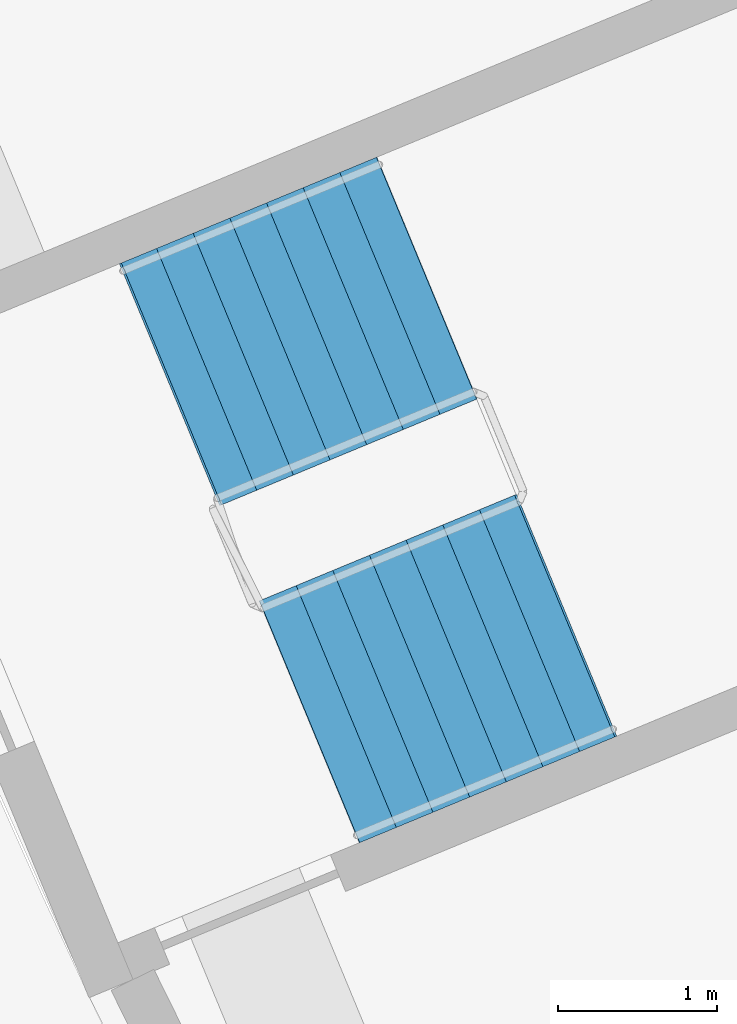
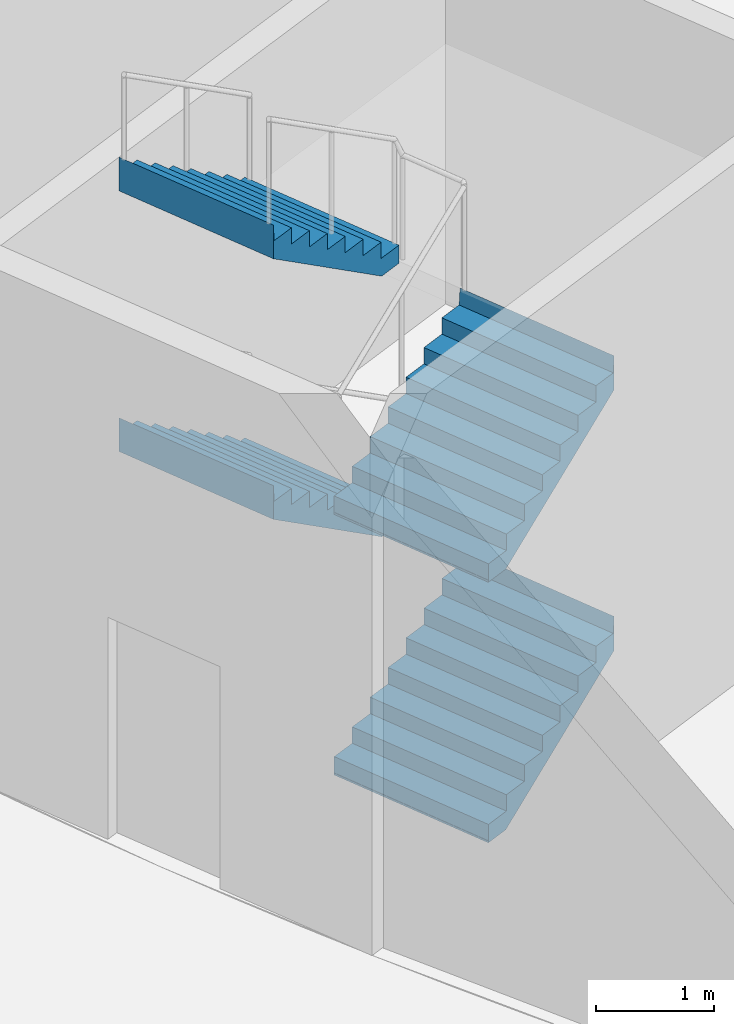
# One storey, part 31 of 41: 4 stair flights, 1 element without a shape of its own.
"""IFC4 building model written with IfcOpenShell, lengths in metres."""

from ifc_helpers import new_model, si_unit, direction, frame, origin, place, context, subcontext, project, spatial, triangles, material, type_object, element, aggregate, save


model = new_model("IFC4")

# Units and contexts
model_context = context("Model", 3, precision=1e-05, world=origin(), true_north=direction((0.0, 1.0)))
body_context = subcontext(model_context, "Body", "Model", "MODEL_VIEW")
ifc_project = project(units=[si_unit("LENGTHUNIT", "METRE"), si_unit("AREAUNIT", "SQUARE_METRE"), si_unit("VOLUMEUNIT", "CUBIC_METRE"), si_unit("PLANEANGLEUNIT", "RADIAN"), si_unit("MASSUNIT", "GRAM", prefix="KILO")], contexts=[model_context])

# Site, building, storey
site_placement = place(None, origin())
site = spatial("IfcSite", under=ifc_project, at=site_placement, CompositionType="ELEMENT")
building_placement = place(site_placement, origin())
building = spatial("IfcBuilding", under=site, at=building_placement, Name="Maasbend Ring Residences", CompositionType="ELEMENT")
storey_placement = place(building_placement, origin())
storey = spatial("IfcBuildingStorey", under=building, at=storey_placement, Name="L00", CompositionType="ELEMENT", Elevation=0.0)

# Stair, stair flights
ifc_material_1 = material(Name="Concrete C40/50", Category="concrete")
stair_type = type_object("IfcStairType", Name="CORE STAIR 32 RISERS", PredefinedType="HALF_TURN_STAIR", material=ifc_material_1)
stair_placement = place(storey_placement, origin())
stair = element("IfcStair", 1, at=stair_placement, inside=storey, type_object=stair_type, Name="L00 Exit stair ST-P6", PredefinedType="HALF_TURN_STAIR")
ifc_material_2 = material(Name="Concrete C40/50", Category="concrete")
stair_flight_type = type_object("IfcStairFlightType", Name="CORE STAIR FLIGHT 1650", PredefinedType="STRAIGHT", material=ifc_material_2)
stair_flight_1_placement = place(storey_placement, frame((-40.210693359375, -17.900634765625, 0.0), z_axis=(0.0, 0.0, 1.0), x_axis=(0.923879532511, 0.382683432365, 0.0)))
stair_flight_1 = element("IfcStairFlight", 2, at=stair_flight_1_placement, type_object=stair_flight_type, Name="ST-P6 flight 1", NumberOfRisers=8, NumberOfTreads=7, PredefinedType="STRAIGHT", RiserHeight=0.16875, TreadLength=0.25, context=body_context, shape_type="Tessellation", body=[
    triangles([(0.2412109375, 0.824951171875, -0.02001953125), (1.7529296875, 0.824951171875, 1.00048828125), (1.7529296875, 0.824951171875, 1.35009765625), (1.739990234375, 0.824951171875, 1.18115234375), (1.5, 0.824951171875, 1.18115234375), (1.5, 0.824951171875, 1.012451171875), (1.25, 0.824951171875, 1.012451171875), (1.25, 0.824951171875, 0.84375), (1.0, 0.824951171875, 0.84375), (1.0, 0.824951171875, 0.675048828125), (0.75, 0.824951171875, 0.675048828125), (0.75, 0.824951171875, 0.50634765625), (0.5, 0.824951171875, 0.50634765625), (0.5, 0.824951171875, 0.33740234375), (0.25, 0.824951171875, 0.33740234375), (0.25, 0.824951171875, 0.168701171875), (0.0, 0.824951171875, 0.168701171875), (0.0, 0.824951171875, 0.0), (-0.0029296875, 0.824951171875, 0.0), (-0.0029296875, 0.824951171875, -0.02001953125), (0.2412109375, 0.41259765625, -0.02001953125), (1.7529296875, 0.41259765625, 1.00048828125), (1.7529296875, 0.41259765625, 1.35009765625), (1.739990234375, 0.41259765625, 1.18115234375), (1.5, 0.41259765625, 1.18115234375), (1.5, 0.41259765625, 1.012451171875), (1.25, 0.41259765625, 1.012451171875), (1.25, 0.41259765625, 0.84375), (1.0, 0.41259765625, 0.84375), (1.0, 0.41259765625, 0.675048828125), (0.75, 0.41259765625, 0.675048828125), (0.75, 0.41259765625, 0.50634765625), (0.5, 0.41259765625, 0.50634765625), (0.5, 0.41259765625, 0.33740234375), (0.25, 0.41259765625, 0.33740234375), (0.25, 0.41259765625, 0.168701171875), (0.0, 0.41259765625, 0.168701171875), (0.0, 0.41259765625, 0.0), (-0.0029296875, 0.41259765625, 0.0), (-0.0029296875, 0.41259765625, -0.02001953125), (0.2412109375, 0.0, -0.02001953125), (1.7529296875, 0.0, 1.00048828125), (1.7529296875, 0.0, 1.35009765625), (1.739990234375, 0.0, 1.18115234375), (1.5, 0.0, 1.18115234375), (1.5, 0.0, 1.012451171875), (1.25, 0.0, 1.012451171875), (1.25, 0.0, 0.84375), (1.0, 0.0, 0.84375), (1.0, 0.0, 0.675048828125), (0.75, 0.0, 0.675048828125), (0.75, 0.0, 0.50634765625), (0.5, 0.0, 0.50634765625), (0.5, 0.0, 0.33740234375), (0.25, 0.0, 0.33740234375), (0.25, 0.0, 0.168701171875), (0.0, 0.0, 0.168701171875), (0.0, 0.0, 0.0), (-0.0029296875, 0.0, 0.0), (-0.0029296875, 0.0, -0.02001953125), (0.2412109375, -0.41259765625, -0.02001953125), (1.7529296875, -0.41259765625, 1.00048828125), (1.7529296875, -0.41259765625, 1.35009765625), (1.739990234375, -0.41259765625, 1.18115234375), (1.5, -0.41259765625, 1.18115234375), (1.5, -0.41259765625, 1.012451171875), (1.25, -0.41259765625, 1.012451171875), (1.25, -0.41259765625, 0.84375), (1.0, -0.41259765625, 0.84375), (1.0, -0.41259765625, 0.675048828125), (0.75, -0.41259765625, 0.675048828125), (0.75, -0.41259765625, 0.50634765625), (0.5, -0.41259765625, 0.50634765625), (0.5, -0.41259765625, 0.33740234375), (0.25, -0.41259765625, 0.33740234375), (0.25, -0.41259765625, 0.168701171875), (0.0, -0.41259765625, 0.168701171875), (0.0, -0.41259765625, 0.0), (-0.0029296875, -0.41259765625, 0.0), (-0.0029296875, -0.41259765625, -0.02001953125), (0.2412109375, -0.824951171875, -0.02001953125), (1.7529296875, -0.824951171875, 1.00048828125), (1.7529296875, -0.824951171875, 1.35009765625), (1.739990234375, -0.824951171875, 1.18115234375), (1.5, -0.824951171875, 1.18115234375), (1.5, -0.824951171875, 1.012451171875), (1.25, -0.824951171875, 1.012451171875), (1.25, -0.824951171875, 0.84375), (1.0, -0.824951171875, 0.84375), (1.0, -0.824951171875, 0.675048828125), (0.75, -0.824951171875, 0.675048828125), (0.75, -0.824951171875, 0.50634765625), (0.5, -0.824951171875, 0.50634765625), (0.5, -0.824951171875, 0.33740234375), (0.25, -0.824951171875, 0.33740234375), (0.25, -0.824951171875, 0.168701171875), (0.0, -0.824951171875, 0.168701171875), (0.0, -0.824951171875, 0.0), (-0.0029296875, -0.824951171875, 0.0), (-0.0029296875, -0.824951171875, -0.02001953125)], [[1, 2, 22], [1, 22, 21], [21, 22, 42], [21, 42, 41], [41, 42, 62], [41, 62, 61], [61, 62, 82], [61, 82, 81], [2, 3, 23], [2, 23, 22], [22, 23, 43], [22, 43, 42], [42, 43, 63], [42, 63, 62], [62, 63, 83], [62, 83, 82], [3, 4, 24], [3, 24, 23], [23, 24, 44], [23, 44, 43], [43, 44, 64], [43, 64, 63], [63, 64, 84], [63, 84, 83], [4, 5, 25], [4, 25, 24], [24, 25, 45], [24, 45, 44], [44, 45, 65], [44, 65, 64], [64, 65, 85], [64, 85, 84], [5, 6, 26], [5, 26, 25], [25, 26, 46], [25, 46, 45], [45, 46, 66], [45, 66, 65], [65, 66, 86], [65, 86, 85], [6, 7, 27], [6, 27, 26], [26, 27, 47], [26, 47, 46], [46, 47, 67], [46, 67, 66], [66, 67, 87], [66, 87, 86], [7, 8, 28], [7, 28, 27], [27, 28, 48], [27, 48, 47], [47, 48, 68], [47, 68, 67], [67, 68, 88], [67, 88, 87], [8, 9, 29], [8, 29, 28], [28, 29, 49], [28, 49, 48], [48, 49, 69], [48, 69, 68], [68, 69, 89], [68, 89, 88], [9, 10, 30], [9, 30, 29], [29, 30, 50], [29, 50, 49], [49, 50, 70], [49, 70, 69], [69, 70, 90], [69, 90, 89], [10, 11, 31], [10, 31, 30], [30, 31, 51], [30, 51, 50], [50, 51, 71], [50, 71, 70], [70, 71, 91], [70, 91, 90], [11, 12, 32], [11, 32, 31], [31, 32, 52], [31, 52, 51], [51, 52, 72], [51, 72, 71], [71, 72, 92], [71, 92, 91], [12, 13, 33], [12, 33, 32], [32, 33, 53], [32, 53, 52], [52, 53, 73], [52, 73, 72], [72, 73, 93], [72, 93, 92], [13, 14, 34], [13, 34, 33], [33, 34, 54], [33, 54, 53], [53, 54, 74], [53, 74, 73], [73, 74, 94], [73, 94, 93], [14, 15, 35], [14, 35, 34], [34, 35, 55], [34, 55, 54], [54, 55, 75], [54, 75, 74], [74, 75, 95], [74, 95, 94], [15, 16, 36], [15, 36, 35], [35, 36, 56], [35, 56, 55], [55, 56, 76], [55, 76, 75], [75, 76, 96], [75, 96, 95], [16, 17, 37], [16, 37, 36], [36, 37, 57], [36, 57, 56], [56, 57, 77], [56, 77, 76], [76, 77, 97], [76, 97, 96], [17, 18, 38], [17, 38, 37], [37, 38, 58], [37, 58, 57], [57, 58, 78], [57, 78, 77], [77, 78, 98], [77, 98, 97], [18, 19, 39], [18, 39, 38], [38, 39, 59], [38, 59, 58], [58, 59, 79], [58, 79, 78], [78, 79, 99], [78, 99, 98], [19, 20, 40], [19, 40, 39], [39, 40, 60], [39, 60, 59], [59, 60, 80], [59, 80, 79], [79, 80, 100], [79, 100, 99], [20, 1, 21], [20, 21, 40], [40, 21, 41], [40, 41, 60], [60, 41, 61], [60, 61, 80], [80, 61, 81], [80, 81, 100], [20, 2, 1], [2, 4, 3], [2, 5, 4], [2, 6, 5], [20, 6, 2], [6, 8, 7], [20, 8, 6], [8, 10, 9], [20, 10, 8], [10, 12, 11], [20, 12, 10], [12, 14, 13], [20, 14, 12], [14, 16, 15], [20, 16, 14], [16, 18, 17], [20, 18, 16], [18, 20, 19], [100, 81, 82], [82, 83, 84], [82, 84, 85], [82, 85, 86], [100, 82, 86], [86, 87, 88], [100, 86, 88], [88, 89, 90], [100, 88, 90], [90, 91, 92], [100, 90, 92], [92, 93, 94], [100, 92, 94], [94, 95, 96], [100, 94, 96], [96, 97, 98], [100, 96, 98], [98, 99, 100]], closed=True),
])
stair_flight_2_placement = place(storey_placement, frame((-39.473876953125, -15.10595703125, 1.35009765625), z_axis=(0.0, 0.0, 1.0), x_axis=(-0.923879532511, -0.382683432365, 0.0)))
stair_flight_2 = element("IfcStairFlight", 3, at=stair_flight_2_placement, type_object=stair_flight_type, Name="ST-P6 flight 2", NumberOfRisers=8, NumberOfTreads=7, PredefinedType="STRAIGHT", RiserHeight=0.16875, TreadLength=0.25, context=body_context, shape_type="Tessellation", body=[
    triangles([(0.2412109375, 0.824951171875, -0.02001953125), (1.7529296875, 0.824951171875, 1.00048828125), (1.7529296875, 0.824951171875, 1.35009765625), (1.739990234375, 0.824951171875, 1.18115234375), (1.5, 0.824951171875, 1.18115234375), (1.5, 0.824951171875, 1.012451171875), (1.25, 0.824951171875, 1.012451171875), (1.25, 0.824951171875, 0.84375), (1.0, 0.824951171875, 0.84375), (1.0, 0.824951171875, 0.675048828125), (0.75, 0.824951171875, 0.675048828125), (0.75, 0.824951171875, 0.50634765625), (0.5, 0.824951171875, 0.50634765625), (0.5, 0.824951171875, 0.33740234375), (0.25, 0.824951171875, 0.33740234375), (0.25, 0.824951171875, 0.168701171875), (0.0, 0.824951171875, 0.168701171875), (0.0, 0.824951171875, 0.0), (-0.0029296875, 0.824951171875, 0.0), (-0.0029296875, 0.824951171875, -0.02001953125), (0.2412109375, 0.41259765625, -0.02001953125), (1.7529296875, 0.41259765625, 1.00048828125), (1.7529296875, 0.41259765625, 1.35009765625), (1.739990234375, 0.41259765625, 1.18115234375), (1.5, 0.41259765625, 1.18115234375), (1.5, 0.41259765625, 1.012451171875), (1.25, 0.41259765625, 1.012451171875), (1.25, 0.41259765625, 0.84375), (1.0, 0.41259765625, 0.84375), (1.0, 0.41259765625, 0.675048828125), (0.75, 0.41259765625, 0.675048828125), (0.75, 0.41259765625, 0.50634765625), (0.5, 0.41259765625, 0.50634765625), (0.5, 0.41259765625, 0.33740234375), (0.25, 0.41259765625, 0.33740234375), (0.25, 0.41259765625, 0.168701171875), (0.0, 0.41259765625, 0.168701171875), (0.0, 0.41259765625, 0.0), (-0.0029296875, 0.41259765625, 0.0), (-0.0029296875, 0.41259765625, -0.02001953125), (0.2412109375, 0.0, -0.02001953125), (1.7529296875, 0.0, 1.00048828125), (1.7529296875, 0.0, 1.35009765625), (1.739990234375, 0.0, 1.18115234375), (1.5, 0.0, 1.18115234375), (1.5, 0.0, 1.012451171875), (1.25, 0.0, 1.012451171875), (1.25, 0.0, 0.84375), (1.0, 0.0, 0.84375), (1.0, 0.0, 0.675048828125), (0.75, 0.0, 0.675048828125), (0.75, 0.0, 0.50634765625), (0.5, 0.0, 0.50634765625), (0.5, 0.0, 0.33740234375), (0.25, 0.0, 0.33740234375), (0.25, 0.0, 0.168701171875), (0.0, 0.0, 0.168701171875), (0.0, 0.0, 0.0), (-0.0029296875, 0.0, 0.0), (-0.0029296875, 0.0, -0.02001953125), (0.2412109375, -0.41259765625, -0.02001953125), (1.7529296875, -0.41259765625, 1.00048828125), (1.7529296875, -0.41259765625, 1.35009765625), (1.739990234375, -0.41259765625, 1.18115234375), (1.5, -0.41259765625, 1.18115234375), (1.5, -0.41259765625, 1.012451171875), (1.25, -0.41259765625, 1.012451171875), (1.25, -0.41259765625, 0.84375), (1.0, -0.41259765625, 0.84375), (1.0, -0.41259765625, 0.675048828125), (0.75, -0.41259765625, 0.675048828125), (0.75, -0.41259765625, 0.50634765625), (0.5, -0.41259765625, 0.50634765625), (0.5, -0.41259765625, 0.33740234375), (0.25, -0.41259765625, 0.33740234375), (0.25, -0.41259765625, 0.168701171875), (0.0, -0.41259765625, 0.168701171875), (0.0, -0.41259765625, 0.0), (-0.0029296875, -0.41259765625, 0.0), (-0.0029296875, -0.41259765625, -0.02001953125), (0.2412109375, -0.824951171875, -0.02001953125), (1.7529296875, -0.824951171875, 1.00048828125), (1.7529296875, -0.824951171875, 1.35009765625), (1.739990234375, -0.824951171875, 1.18115234375), (1.5, -0.824951171875, 1.18115234375), (1.5, -0.824951171875, 1.012451171875), (1.25, -0.824951171875, 1.012451171875), (1.25, -0.824951171875, 0.84375), (1.0, -0.824951171875, 0.84375), (1.0, -0.824951171875, 0.675048828125), (0.75, -0.824951171875, 0.675048828125), (0.75, -0.824951171875, 0.50634765625), (0.5, -0.824951171875, 0.50634765625), (0.5, -0.824951171875, 0.33740234375), (0.25, -0.824951171875, 0.33740234375), (0.25, -0.824951171875, 0.168701171875), (0.0, -0.824951171875, 0.168701171875), (0.0, -0.824951171875, 0.0), (-0.0029296875, -0.824951171875, 0.0), (-0.0029296875, -0.824951171875, -0.02001953125)], [[1, 2, 22], [1, 22, 21], [21, 22, 42], [21, 42, 41], [41, 42, 62], [41, 62, 61], [61, 62, 82], [61, 82, 81], [2, 3, 23], [2, 23, 22], [22, 23, 43], [22, 43, 42], [42, 43, 63], [42, 63, 62], [62, 63, 83], [62, 83, 82], [3, 4, 24], [3, 24, 23], [23, 24, 44], [23, 44, 43], [43, 44, 64], [43, 64, 63], [63, 64, 84], [63, 84, 83], [4, 5, 25], [4, 25, 24], [24, 25, 45], [24, 45, 44], [44, 45, 65], [44, 65, 64], [64, 65, 85], [64, 85, 84], [5, 6, 26], [5, 26, 25], [25, 26, 46], [25, 46, 45], [45, 46, 66], [45, 66, 65], [65, 66, 86], [65, 86, 85], [6, 7, 27], [6, 27, 26], [26, 27, 47], [26, 47, 46], [46, 47, 67], [46, 67, 66], [66, 67, 87], [66, 87, 86], [7, 8, 28], [7, 28, 27], [27, 28, 48], [27, 48, 47], [47, 48, 68], [47, 68, 67], [67, 68, 88], [67, 88, 87], [8, 9, 29], [8, 29, 28], [28, 29, 49], [28, 49, 48], [48, 49, 69], [48, 69, 68], [68, 69, 89], [68, 89, 88], [9, 10, 30], [9, 30, 29], [29, 30, 50], [29, 50, 49], [49, 50, 70], [49, 70, 69], [69, 70, 90], [69, 90, 89], [10, 11, 31], [10, 31, 30], [30, 31, 51], [30, 51, 50], [50, 51, 71], [50, 71, 70], [70, 71, 91], [70, 91, 90], [11, 12, 32], [11, 32, 31], [31, 32, 52], [31, 52, 51], [51, 52, 72], [51, 72, 71], [71, 72, 92], [71, 92, 91], [12, 13, 33], [12, 33, 32], [32, 33, 53], [32, 53, 52], [52, 53, 73], [52, 73, 72], [72, 73, 93], [72, 93, 92], [13, 14, 34], [13, 34, 33], [33, 34, 54], [33, 54, 53], [53, 54, 74], [53, 74, 73], [73, 74, 94], [73, 94, 93], [14, 15, 35], [14, 35, 34], [34, 35, 55], [34, 55, 54], [54, 55, 75], [54, 75, 74], [74, 75, 95], [74, 95, 94], [15, 16, 36], [15, 36, 35], [35, 36, 56], [35, 56, 55], [55, 56, 76], [55, 76, 75], [75, 76, 96], [75, 96, 95], [16, 17, 37], [16, 37, 36], [36, 37, 57], [36, 57, 56], [56, 57, 77], [56, 77, 76], [76, 77, 97], [76, 97, 96], [17, 18, 38], [17, 38, 37], [37, 38, 58], [37, 58, 57], [57, 58, 78], [57, 78, 77], [77, 78, 98], [77, 98, 97], [18, 19, 39], [18, 39, 38], [38, 39, 59], [38, 59, 58], [58, 59, 79], [58, 79, 78], [78, 79, 99], [78, 99, 98], [19, 20, 40], [19, 40, 39], [39, 40, 60], [39, 60, 59], [59, 60, 80], [59, 80, 79], [79, 80, 100], [79, 100, 99], [20, 1, 21], [20, 21, 40], [40, 21, 41], [40, 41, 60], [60, 41, 61], [60, 61, 80], [80, 61, 81], [80, 81, 100], [20, 2, 1], [2, 4, 3], [2, 5, 4], [2, 6, 5], [20, 6, 2], [6, 8, 7], [20, 8, 6], [8, 10, 9], [20, 10, 8], [10, 12, 11], [20, 12, 10], [12, 14, 13], [20, 14, 12], [14, 16, 15], [20, 16, 14], [16, 18, 17], [20, 18, 16], [18, 20, 19], [100, 81, 82], [82, 83, 84], [82, 84, 85], [82, 85, 86], [100, 82, 86], [86, 87, 88], [100, 86, 88], [88, 89, 90], [100, 88, 90], [90, 91, 92], [100, 90, 92], [92, 93, 94], [100, 92, 94], [94, 95, 96], [100, 94, 96], [96, 97, 98], [100, 96, 98], [98, 99, 100]], closed=True),
])
stair_flight_3_placement = place(storey_placement, frame((-40.210693359375, -17.900634765625, 2.699951171875), z_axis=(0.0, 0.0, 1.0), x_axis=(0.923879532511, 0.382683432365, 0.0)))
stair_flight_3 = element("IfcStairFlight", 4, at=stair_flight_3_placement, type_object=stair_flight_type, Name="ST-P6 flight 3", NumberOfRisers=8, NumberOfTreads=7, PredefinedType="STRAIGHT", RiserHeight=0.16875, TreadLength=0.25, context=body_context, shape_type="Tessellation", body=[
    triangles([(0.2412109375, 0.824951171875, -0.02001953125), (1.7529296875, 0.824951171875, 1.00048828125), (1.7529296875, 0.824951171875, 1.35009765625), (1.739990234375, 0.824951171875, 1.18115234375), (1.5, 0.824951171875, 1.18115234375), (1.5, 0.824951171875, 1.012451171875), (1.25, 0.824951171875, 1.012451171875), (1.25, 0.824951171875, 0.84375), (1.0, 0.824951171875, 0.84375), (1.0, 0.824951171875, 0.675048828125), (0.75, 0.824951171875, 0.675048828125), (0.75, 0.824951171875, 0.50634765625), (0.5, 0.824951171875, 0.50634765625), (0.5, 0.824951171875, 0.33740234375), (0.25, 0.824951171875, 0.33740234375), (0.25, 0.824951171875, 0.168701171875), (0.0, 0.824951171875, 0.168701171875), (0.0, 0.824951171875, 0.0), (-0.0029296875, 0.824951171875, 0.0), (-0.0029296875, 0.824951171875, -0.02001953125), (0.2412109375, 0.41259765625, -0.02001953125), (1.7529296875, 0.41259765625, 1.00048828125), (1.7529296875, 0.41259765625, 1.35009765625), (1.739990234375, 0.41259765625, 1.18115234375), (1.5, 0.41259765625, 1.18115234375), (1.5, 0.41259765625, 1.012451171875), (1.25, 0.41259765625, 1.012451171875), (1.25, 0.41259765625, 0.84375), (1.0, 0.41259765625, 0.84375), (1.0, 0.41259765625, 0.675048828125), (0.75, 0.41259765625, 0.675048828125), (0.75, 0.41259765625, 0.50634765625), (0.5, 0.41259765625, 0.50634765625), (0.5, 0.41259765625, 0.33740234375), (0.25, 0.41259765625, 0.33740234375), (0.25, 0.41259765625, 0.168701171875), (0.0, 0.41259765625, 0.168701171875), (0.0, 0.41259765625, 0.0), (-0.0029296875, 0.41259765625, 0.0), (-0.0029296875, 0.41259765625, -0.02001953125), (0.2412109375, 0.0, -0.02001953125), (1.7529296875, 0.0, 1.00048828125), (1.7529296875, 0.0, 1.35009765625), (1.739990234375, 0.0, 1.18115234375), (1.5, 0.0, 1.18115234375), (1.5, 0.0, 1.012451171875), (1.25, 0.0, 1.012451171875), (1.25, 0.0, 0.84375), (1.0, 0.0, 0.84375), (1.0, 0.0, 0.675048828125), (0.75, 0.0, 0.675048828125), (0.75, 0.0, 0.50634765625), (0.5, 0.0, 0.50634765625), (0.5, 0.0, 0.33740234375), (0.25, 0.0, 0.33740234375), (0.25, 0.0, 0.168701171875), (0.0, 0.0, 0.168701171875), (0.0, 0.0, 0.0), (-0.0029296875, 0.0, 0.0), (-0.0029296875, 0.0, -0.02001953125), (0.2412109375, -0.41259765625, -0.02001953125), (1.7529296875, -0.41259765625, 1.00048828125), (1.7529296875, -0.41259765625, 1.35009765625), (1.739990234375, -0.41259765625, 1.18115234375), (1.5, -0.41259765625, 1.18115234375), (1.5, -0.41259765625, 1.012451171875), (1.25, -0.41259765625, 1.012451171875), (1.25, -0.41259765625, 0.84375), (1.0, -0.41259765625, 0.84375), (1.0, -0.41259765625, 0.675048828125), (0.75, -0.41259765625, 0.675048828125), (0.75, -0.41259765625, 0.50634765625), (0.5, -0.41259765625, 0.50634765625), (0.5, -0.41259765625, 0.33740234375), (0.25, -0.41259765625, 0.33740234375), (0.25, -0.41259765625, 0.168701171875), (0.0, -0.41259765625, 0.168701171875), (0.0, -0.41259765625, 0.0), (-0.0029296875, -0.41259765625, 0.0), (-0.0029296875, -0.41259765625, -0.02001953125), (0.2412109375, -0.824951171875, -0.02001953125), (1.7529296875, -0.824951171875, 1.00048828125), (1.7529296875, -0.824951171875, 1.35009765625), (1.739990234375, -0.824951171875, 1.18115234375), (1.5, -0.824951171875, 1.18115234375), (1.5, -0.824951171875, 1.012451171875), (1.25, -0.824951171875, 1.012451171875), (1.25, -0.824951171875, 0.84375), (1.0, -0.824951171875, 0.84375), (1.0, -0.824951171875, 0.675048828125), (0.75, -0.824951171875, 0.675048828125), (0.75, -0.824951171875, 0.50634765625), (0.5, -0.824951171875, 0.50634765625), (0.5, -0.824951171875, 0.33740234375), (0.25, -0.824951171875, 0.33740234375), (0.25, -0.824951171875, 0.168701171875), (0.0, -0.824951171875, 0.168701171875), (0.0, -0.824951171875, 0.0), (-0.0029296875, -0.824951171875, 0.0), (-0.0029296875, -0.824951171875, -0.02001953125)], [[1, 2, 22], [1, 22, 21], [21, 22, 42], [21, 42, 41], [41, 42, 62], [41, 62, 61], [61, 62, 82], [61, 82, 81], [2, 3, 23], [2, 23, 22], [22, 23, 43], [22, 43, 42], [42, 43, 63], [42, 63, 62], [62, 63, 83], [62, 83, 82], [3, 4, 24], [3, 24, 23], [23, 24, 44], [23, 44, 43], [43, 44, 64], [43, 64, 63], [63, 64, 84], [63, 84, 83], [4, 5, 25], [4, 25, 24], [24, 25, 45], [24, 45, 44], [44, 45, 65], [44, 65, 64], [64, 65, 85], [64, 85, 84], [5, 6, 26], [5, 26, 25], [25, 26, 46], [25, 46, 45], [45, 46, 66], [45, 66, 65], [65, 66, 86], [65, 86, 85], [6, 7, 27], [6, 27, 26], [26, 27, 47], [26, 47, 46], [46, 47, 67], [46, 67, 66], [66, 67, 87], [66, 87, 86], [7, 8, 28], [7, 28, 27], [27, 28, 48], [27, 48, 47], [47, 48, 68], [47, 68, 67], [67, 68, 88], [67, 88, 87], [8, 9, 29], [8, 29, 28], [28, 29, 49], [28, 49, 48], [48, 49, 69], [48, 69, 68], [68, 69, 89], [68, 89, 88], [9, 10, 30], [9, 30, 29], [29, 30, 50], [29, 50, 49], [49, 50, 70], [49, 70, 69], [69, 70, 90], [69, 90, 89], [10, 11, 31], [10, 31, 30], [30, 31, 51], [30, 51, 50], [50, 51, 71], [50, 71, 70], [70, 71, 91], [70, 91, 90], [11, 12, 32], [11, 32, 31], [31, 32, 52], [31, 52, 51], [51, 52, 72], [51, 72, 71], [71, 72, 92], [71, 92, 91], [12, 13, 33], [12, 33, 32], [32, 33, 53], [32, 53, 52], [52, 53, 73], [52, 73, 72], [72, 73, 93], [72, 93, 92], [13, 14, 34], [13, 34, 33], [33, 34, 54], [33, 54, 53], [53, 54, 74], [53, 74, 73], [73, 74, 94], [73, 94, 93], [14, 15, 35], [14, 35, 34], [34, 35, 55], [34, 55, 54], [54, 55, 75], [54, 75, 74], [74, 75, 95], [74, 95, 94], [15, 16, 36], [15, 36, 35], [35, 36, 56], [35, 56, 55], [55, 56, 76], [55, 76, 75], [75, 76, 96], [75, 96, 95], [16, 17, 37], [16, 37, 36], [36, 37, 57], [36, 57, 56], [56, 57, 77], [56, 77, 76], [76, 77, 97], [76, 97, 96], [17, 18, 38], [17, 38, 37], [37, 38, 58], [37, 58, 57], [57, 58, 78], [57, 78, 77], [77, 78, 98], [77, 98, 97], [18, 19, 39], [18, 39, 38], [38, 39, 59], [38, 59, 58], [58, 59, 79], [58, 79, 78], [78, 79, 99], [78, 99, 98], [19, 20, 40], [19, 40, 39], [39, 40, 60], [39, 60, 59], [59, 60, 80], [59, 80, 79], [79, 80, 100], [79, 100, 99], [20, 1, 21], [20, 21, 40], [40, 21, 41], [40, 41, 60], [60, 41, 61], [60, 61, 80], [80, 61, 81], [80, 81, 100], [20, 2, 1], [2, 4, 3], [2, 5, 4], [2, 6, 5], [20, 6, 2], [6, 8, 7], [20, 8, 6], [8, 10, 9], [20, 10, 8], [10, 12, 11], [20, 12, 10], [12, 14, 13], [20, 14, 12], [14, 16, 15], [20, 16, 14], [16, 18, 17], [20, 18, 16], [18, 20, 19], [100, 81, 82], [82, 83, 84], [82, 84, 85], [82, 85, 86], [100, 82, 86], [86, 87, 88], [100, 86, 88], [88, 89, 90], [100, 88, 90], [90, 91, 92], [100, 90, 92], [92, 93, 94], [100, 92, 94], [94, 95, 96], [100, 94, 96], [96, 97, 98], [100, 96, 98], [98, 99, 100]], closed=True),
])
stair_flight_4_placement = place(storey_placement, frame((-39.473876953125, -15.10595703125, 4.050048828125), z_axis=(0.0, 0.0, 1.0), x_axis=(-0.923879532511, -0.382683432365, 0.0)))
stair_flight_4 = element("IfcStairFlight", 5, at=stair_flight_4_placement, type_object=stair_flight_type, Name="ST-P6 flight 4", NumberOfRisers=8, NumberOfTreads=7, PredefinedType="STRAIGHT", RiserHeight=0.16875, TreadLength=0.25, context=body_context, shape_type="Tessellation", body=[
    triangles([(0.2412109375, 0.824951171875, -0.02001953125), (1.7529296875, 0.824951171875, 1.00048828125), (1.7529296875, 0.824951171875, 1.35009765625), (1.739990234375, 0.824951171875, 1.18115234375), (1.5, 0.824951171875, 1.18115234375), (1.5, 0.824951171875, 1.012451171875), (1.25, 0.824951171875, 1.012451171875), (1.25, 0.824951171875, 0.84375), (1.0, 0.824951171875, 0.84375), (1.0, 0.824951171875, 0.675048828125), (0.75, 0.824951171875, 0.675048828125), (0.75, 0.824951171875, 0.50634765625), (0.5, 0.824951171875, 0.50634765625), (0.5, 0.824951171875, 0.33740234375), (0.25, 0.824951171875, 0.33740234375), (0.25, 0.824951171875, 0.168701171875), (0.0, 0.824951171875, 0.168701171875), (0.0, 0.824951171875, 0.0), (-0.0029296875, 0.824951171875, 0.0), (-0.0029296875, 0.824951171875, -0.02001953125), (0.2412109375, 0.41259765625, -0.02001953125), (1.7529296875, 0.41259765625, 1.00048828125), (1.7529296875, 0.41259765625, 1.35009765625), (1.739990234375, 0.41259765625, 1.18115234375), (1.5, 0.41259765625, 1.18115234375), (1.5, 0.41259765625, 1.012451171875), (1.25, 0.41259765625, 1.012451171875), (1.25, 0.41259765625, 0.84375), (1.0, 0.41259765625, 0.84375), (1.0, 0.41259765625, 0.675048828125), (0.75, 0.41259765625, 0.675048828125), (0.75, 0.41259765625, 0.50634765625), (0.5, 0.41259765625, 0.50634765625), (0.5, 0.41259765625, 0.33740234375), (0.25, 0.41259765625, 0.33740234375), (0.25, 0.41259765625, 0.168701171875), (0.0, 0.41259765625, 0.168701171875), (0.0, 0.41259765625, 0.0), (-0.0029296875, 0.41259765625, 0.0), (-0.0029296875, 0.41259765625, -0.02001953125), (0.2412109375, 0.0, -0.02001953125), (1.7529296875, 0.0, 1.00048828125), (1.7529296875, 0.0, 1.35009765625), (1.739990234375, 0.0, 1.18115234375), (1.5, 0.0, 1.18115234375), (1.5, 0.0, 1.012451171875), (1.25, 0.0, 1.012451171875), (1.25, 0.0, 0.84375), (1.0, 0.0, 0.84375), (1.0, 0.0, 0.675048828125), (0.75, 0.0, 0.675048828125), (0.75, 0.0, 0.50634765625), (0.5, 0.0, 0.50634765625), (0.5, 0.0, 0.33740234375), (0.25, 0.0, 0.33740234375), (0.25, 0.0, 0.168701171875), (0.0, 0.0, 0.168701171875), (0.0, 0.0, 0.0), (-0.0029296875, 0.0, 0.0), (-0.0029296875, 0.0, -0.02001953125), (0.2412109375, -0.41259765625, -0.02001953125), (1.7529296875, -0.41259765625, 1.00048828125), (1.7529296875, -0.41259765625, 1.35009765625), (1.739990234375, -0.41259765625, 1.18115234375), (1.5, -0.41259765625, 1.18115234375), (1.5, -0.41259765625, 1.012451171875), (1.25, -0.41259765625, 1.012451171875), (1.25, -0.41259765625, 0.84375), (1.0, -0.41259765625, 0.84375), (1.0, -0.41259765625, 0.675048828125), (0.75, -0.41259765625, 0.675048828125), (0.75, -0.41259765625, 0.50634765625), (0.5, -0.41259765625, 0.50634765625), (0.5, -0.41259765625, 0.33740234375), (0.25, -0.41259765625, 0.33740234375), (0.25, -0.41259765625, 0.168701171875), (0.0, -0.41259765625, 0.168701171875), (0.0, -0.41259765625, 0.0), (-0.0029296875, -0.41259765625, 0.0), (-0.0029296875, -0.41259765625, -0.02001953125), (0.2412109375, -0.824951171875, -0.02001953125), (1.7529296875, -0.824951171875, 1.00048828125), (1.7529296875, -0.824951171875, 1.35009765625), (1.739990234375, -0.824951171875, 1.18115234375), (1.5, -0.824951171875, 1.18115234375), (1.5, -0.824951171875, 1.012451171875), (1.25, -0.824951171875, 1.012451171875), (1.25, -0.824951171875, 0.84375), (1.0, -0.824951171875, 0.84375), (1.0, -0.824951171875, 0.675048828125), (0.75, -0.824951171875, 0.675048828125), (0.75, -0.824951171875, 0.50634765625), (0.5, -0.824951171875, 0.50634765625), (0.5, -0.824951171875, 0.33740234375), (0.25, -0.824951171875, 0.33740234375), (0.25, -0.824951171875, 0.168701171875), (0.0, -0.824951171875, 0.168701171875), (0.0, -0.824951171875, 0.0), (-0.0029296875, -0.824951171875, 0.0), (-0.0029296875, -0.824951171875, -0.02001953125)], [[1, 2, 22], [1, 22, 21], [21, 22, 42], [21, 42, 41], [41, 42, 62], [41, 62, 61], [61, 62, 82], [61, 82, 81], [2, 3, 23], [2, 23, 22], [22, 23, 43], [22, 43, 42], [42, 43, 63], [42, 63, 62], [62, 63, 83], [62, 83, 82], [3, 4, 24], [3, 24, 23], [23, 24, 44], [23, 44, 43], [43, 44, 64], [43, 64, 63], [63, 64, 84], [63, 84, 83], [4, 5, 25], [4, 25, 24], [24, 25, 45], [24, 45, 44], [44, 45, 65], [44, 65, 64], [64, 65, 85], [64, 85, 84], [5, 6, 26], [5, 26, 25], [25, 26, 46], [25, 46, 45], [45, 46, 66], [45, 66, 65], [65, 66, 86], [65, 86, 85], [6, 7, 27], [6, 27, 26], [26, 27, 47], [26, 47, 46], [46, 47, 67], [46, 67, 66], [66, 67, 87], [66, 87, 86], [7, 8, 28], [7, 28, 27], [27, 28, 48], [27, 48, 47], [47, 48, 68], [47, 68, 67], [67, 68, 88], [67, 88, 87], [8, 9, 29], [8, 29, 28], [28, 29, 49], [28, 49, 48], [48, 49, 69], [48, 69, 68], [68, 69, 89], [68, 89, 88], [9, 10, 30], [9, 30, 29], [29, 30, 50], [29, 50, 49], [49, 50, 70], [49, 70, 69], [69, 70, 90], [69, 90, 89], [10, 11, 31], [10, 31, 30], [30, 31, 51], [30, 51, 50], [50, 51, 71], [50, 71, 70], [70, 71, 91], [70, 91, 90], [11, 12, 32], [11, 32, 31], [31, 32, 52], [31, 52, 51], [51, 52, 72], [51, 72, 71], [71, 72, 92], [71, 92, 91], [12, 13, 33], [12, 33, 32], [32, 33, 53], [32, 53, 52], [52, 53, 73], [52, 73, 72], [72, 73, 93], [72, 93, 92], [13, 14, 34], [13, 34, 33], [33, 34, 54], [33, 54, 53], [53, 54, 74], [53, 74, 73], [73, 74, 94], [73, 94, 93], [14, 15, 35], [14, 35, 34], [34, 35, 55], [34, 55, 54], [54, 55, 75], [54, 75, 74], [74, 75, 95], [74, 95, 94], [15, 16, 36], [15, 36, 35], [35, 36, 56], [35, 56, 55], [55, 56, 76], [55, 76, 75], [75, 76, 96], [75, 96, 95], [16, 17, 37], [16, 37, 36], [36, 37, 57], [36, 57, 56], [56, 57, 77], [56, 77, 76], [76, 77, 97], [76, 97, 96], [17, 18, 38], [17, 38, 37], [37, 38, 58], [37, 58, 57], [57, 58, 78], [57, 78, 77], [77, 78, 98], [77, 98, 97], [18, 19, 39], [18, 39, 38], [38, 39, 59], [38, 59, 58], [58, 59, 79], [58, 79, 78], [78, 79, 99], [78, 99, 98], [19, 20, 40], [19, 40, 39], [39, 40, 60], [39, 60, 59], [59, 60, 80], [59, 80, 79], [79, 80, 100], [79, 100, 99], [20, 1, 21], [20, 21, 40], [40, 21, 41], [40, 41, 60], [60, 41, 61], [60, 61, 80], [80, 61, 81], [80, 81, 100], [20, 2, 1], [2, 4, 3], [2, 5, 4], [2, 6, 5], [20, 6, 2], [6, 8, 7], [20, 8, 6], [8, 10, 9], [20, 10, 8], [10, 12, 11], [20, 12, 10], [12, 14, 13], [20, 14, 12], [14, 16, 15], [20, 16, 14], [16, 18, 17], [20, 18, 16], [18, 20, 19], [100, 81, 82], [82, 83, 84], [82, 84, 85], [82, 85, 86], [100, 82, 86], [86, 87, 88], [100, 86, 88], [88, 89, 90], [100, 88, 90], [90, 91, 92], [100, 90, 92], [92, 93, 94], [100, 92, 94], [94, 95, 96], [100, 94, 96], [96, 97, 98], [100, 96, 98], [98, 99, 100]], closed=True),
])
aggregate(stair, [stair_flight_1, stair_flight_2, stair_flight_3, stair_flight_4])

save(model, "model.ifc")
